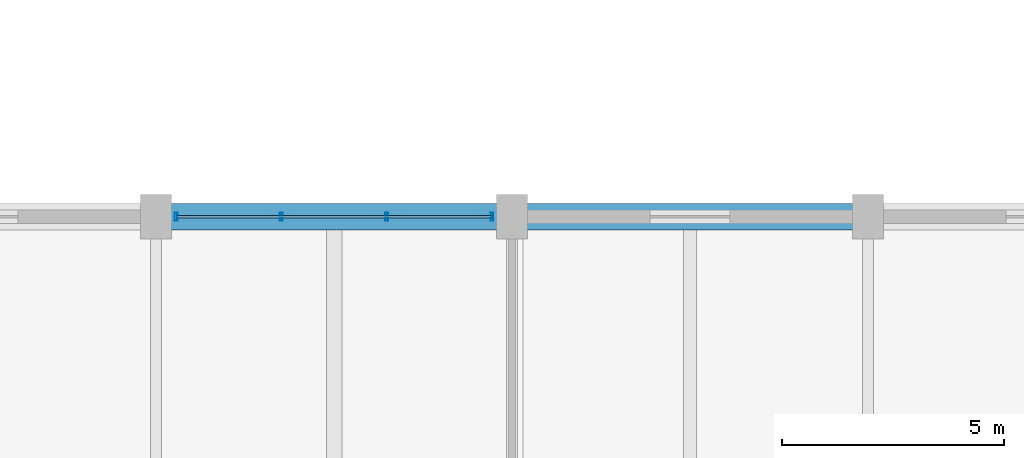
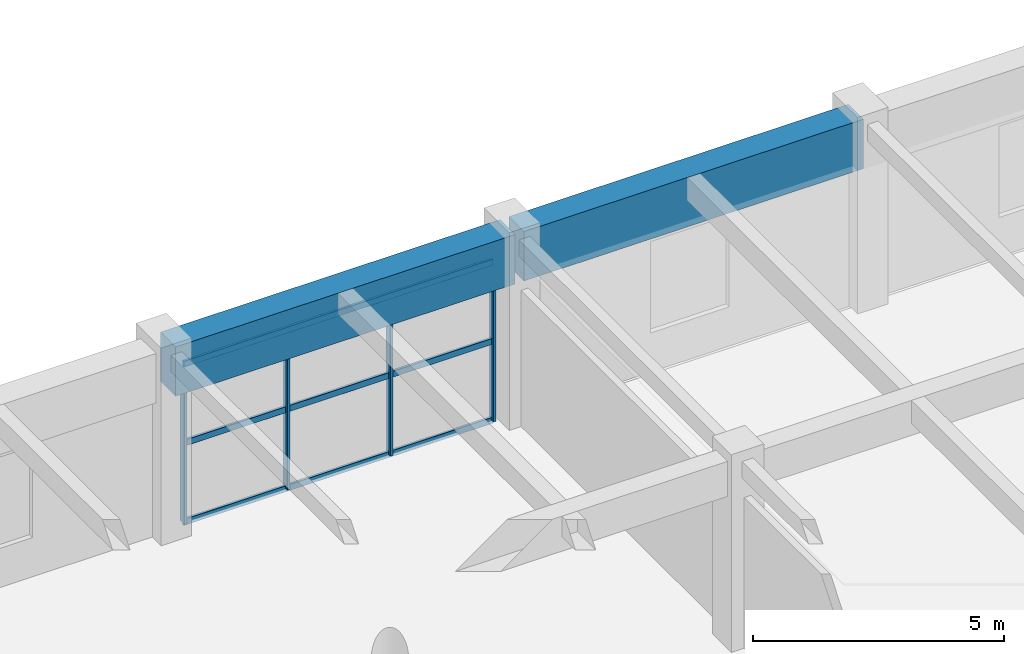
# One storey, part 83 of 144: 7 members, 2 beams, 1 element without a shape of its own.
"""IFC4 building model written with IfcOpenShell, lengths in metres."""

import ifcopenshell
import ifcopenshell.guid

model = None  # the IFC model being written
_history = None  # IfcOwnerHistory: only IFC2X3 demands one
_inside = {}  # id of a spatial element -> (the spatial element, [elements in it])
_under = {}  # id of a project, library or spatial element -> (it, [spatial elements below it])
_declared = {}  # id of a project -> (the project, [libraries it declares])
_typed = {}  # id of a type object -> (the type object, [elements of that type])
_made_of = {}  # id of a material, layer set ... -> (it, [elements and type objects made of it])


def new_model(schema):
    """Start an empty IFC model of exactly this schema.

    Asked for "IFC4X3", IfcOpenShell would pick the latest addendum, in which some entities
    have other attributes; the version numbers below select the first issue.
    IFC2X3 requires an IfcOwnerHistory on every rooted entity: one is made here for all.
    """
    global model, _history
    if schema == "IFC4X3":
        model = ifcopenshell.file(schema_version=(4, 3, 0, 0))
    else:
        model = ifcopenshell.file(schema=schema)
    _inside.clear()
    _under.clear()
    _declared.clear()
    _typed.clear()
    _made_of.clear()
    _history = None
    if model.schema == "IFC2X3":
        org = make("IfcOrganization", Name="unknown")
        user = make(
            "IfcPersonAndOrganization",
            ThePerson=make("IfcPerson", FamilyName="unknown"),
            TheOrganization=org,
        )
        app = make(
            "IfcApplication",
            ApplicationDeveloper=org,
            Version="unknown",
            ApplicationFullName="unknown",
            ApplicationIdentifier="unknown",
        )
        _history = make(
            "IfcOwnerHistory",
            OwningUser=user,
            OwningApplication=app,
            ChangeAction="ADDED",
            CreationDate=0,
        )
    return model


def make(cls, **values):
    """One entity of the class cls with the attributes given. An attribute that is None is left unset."""
    return model.create_entity(
        cls, **{name: value for name, value in values.items() if value is not None}
    )


def rooted(cls, **values):
    """An entity with a GlobalId (a new one), such as an element, a storey or a relation."""
    return make(cls, GlobalId=ifcopenshell.guid.new(), OwnerHistory=_history, **values)


def si_unit(unit_type, name, prefix=None):
    """IfcSIUnit, for example si_unit("LENGTHUNIT", "METRE", prefix="MILLI")."""
    return make("IfcSIUnit", UnitType=unit_type, Prefix=prefix, Name=name)


def assignment(units):
    """IfcUnitAssignment: the units of a project."""
    return None if units is None else make("IfcUnitAssignment", Units=units)


def point(xyz):
    """IfcCartesianPoint."""
    return None if xyz is None else make("IfcCartesianPoint", Coordinates=xyz)


def direction(xyz):
    """IfcDirection."""
    return None if xyz is None else make("IfcDirection", DirectionRatios=xyz)


def frame(location, z_axis=None, x_axis=None):
    """IfcAxis2Placement3D, a coordinate frame: its origin and axes. An axis left out is left unset."""
    return make(
        "IfcAxis2Placement3D",
        Location=point(location),
        Axis=direction(z_axis),
        RefDirection=direction(x_axis),
    )


def frame_2d(location, x_axis=None):
    """IfcAxis2Placement2D, a coordinate frame in the plane: its origin and x axis."""
    return make(
        "IfcAxis2Placement2D", Location=point(location), RefDirection=direction(x_axis)
    )


def origin():
    """The frame at (0, 0, 0) with its axes left unset."""
    return frame((0.0, 0.0, 0.0))


def origin_2d():
    """The frame at (0, 0) in the plane with its x axis left unset."""
    return frame_2d((0.0, 0.0))


def place(relative_to, where):
    """IfcLocalPlacement: puts the frame where relative to a parent placement (None: the world)."""
    return make(
        "IfcLocalPlacement", PlacementRelTo=relative_to, RelativePlacement=where
    )


def context(
    kind, dimensions, precision=None, world=None, true_north=None, identifier=None
):
    """IfcGeometricRepresentationContext, for example the 3D "Model" context."""
    return make(
        "IfcGeometricRepresentationContext",
        ContextIdentifier=identifier,
        ContextType=kind,
        CoordinateSpaceDimension=dimensions,
        Precision=precision,
        WorldCoordinateSystem=world,
        TrueNorth=true_north,
    )


def subcontext(parent, identifier, kind, view, scale=None):
    """IfcGeometricRepresentationSubContext, for example "Body" below "Model"."""
    return make(
        "IfcGeometricRepresentationSubContext",
        ContextIdentifier=identifier,
        ContextType=kind,
        ParentContext=parent,
        TargetScale=scale,
        TargetView=view,
    )


def project(units=None, contexts=None):
    """IfcProject with its units and contexts."""
    return rooted(
        "IfcProject",
        Name="project",
        RepresentationContexts=contexts,
        UnitsInContext=assignment(units),
    )


def spatial(cls, under=None, at=None, **own):
    """A site, building, storey or space (cls), placed at a placement, below another one or the project."""
    s = rooted(cls, ObjectPlacement=at, **own)
    if under is not None:
        _under.setdefault(under.id(), (under, []))[1].append(s)
    return s


def profile(cls, at=None, kind="AREA", **sizes):
    """A parametric profile (cls). Its sizes go by their IFC names, for example OverallWidth=200.0."""
    return make(cls, ProfileType=kind, Position=at, **sizes)


def rectangle(**sizes):
    """IfcRectangleProfileDef."""
    return profile("IfcRectangleProfileDef", **sizes)


def hollow_rectangle(**sizes):
    """IfcRectangleHollowProfileDef."""
    return profile("IfcRectangleHollowProfileDef", **sizes)


def extrude(swept, where, along, depth):
    """IfcExtrudedAreaSolid: the profile swept, set in the frame where, extruded along a direction by depth."""
    return make(
        "IfcExtrudedAreaSolid",
        SweptArea=swept,
        Position=where,
        ExtrudedDirection=direction(along),
        Depth=depth,
    )


def shape(context_of_items, identifier, shape_type, items):
    """IfcShapeRepresentation: the items that make up one representation, for example the "Body"."""
    return make(
        "IfcShapeRepresentation",
        ContextOfItems=context_of_items,
        RepresentationIdentifier=identifier,
        RepresentationType=shape_type,
        Items=items,
    )


def material(Name=None, Category=None):
    """IfcMaterial."""
    return make("IfcMaterial", Name=Name, Category=Category)


def material_profile(
    of_material, cross_section, Name=None, Category=None, Priority=None
):
    """IfcMaterialProfile: a cross section and its material."""
    return make(
        "IfcMaterialProfile",
        Name=Name,
        Material=of_material,
        Profile=cross_section,
        Priority=Priority,
        Category=Category,
    )


def profile_set(profiles, Name=None, composite=None):
    """IfcMaterialProfileSet."""
    return make(
        "IfcMaterialProfileSet",
        Name=Name,
        MaterialProfiles=profiles,
        CompositeProfile=composite,
    )


def made_of(thing, what):
    """Note that an element or type object is made of a material, layer set ...; save() writes the relation."""
    if what is not None:
        _made_of.setdefault(what.id(), (what, []))[1].append(thing)
    return thing


def type_object(cls, material=None, **own):
    """A type object (cls), such as IfcWallType, which elements share."""
    return made_of(rooted(cls, **own), material)


def element(
    cls,
    number,
    at=None,
    inside=None,
    cuts=None,
    type_object=None,
    material=None,
    context=None,
    identifier="Body",
    shape_type=None,
    held_by="IfcProductDefinitionShape",
    body=None,
    shapes=None,
    **own,
):
    """One element of the class cls, such as IfcWall. Its Tag is "e" and its number.

    at: its placement. inside: the storey or other place that contains it. cuts: it is an
    opening in that element (IfcRelVoidsElement). A single representation is given by context,
    identifier, shape_type and body (its items); several are given by shapes. held_by: the class
    of the entity that holds the representations. save() writes the other relations.
    """
    e = rooted(cls, Tag="e%d" % number, ObjectPlacement=at, **own)
    if body is not None:
        shapes = [shape(context, identifier, shape_type, body)]
    if shapes is not None:
        e.Representation = make(held_by, Representations=shapes)
    if inside is not None:
        _inside.setdefault(inside.id(), (inside, []))[1].append(e)
    if cuts is not None:
        rooted(
            "IfcRelVoidsElement", RelatingBuildingElement=cuts, RelatedOpeningElement=e
        )
    if type_object is not None:
        _typed.setdefault(type_object.id(), (type_object, []))[1].append(e)
    return made_of(e, material)


def aggregate(whole, parts):
    """IfcRelAggregates: a whole, such as a stair, and the parts it consists of."""
    return rooted("IfcRelAggregates", RelatingObject=whole, RelatedObjects=parts)


def save(model, path):
    """Write the relations noted so far, then the file.

    IfcRelAggregates (storeys below a building ...), IfcRelContainedInSpatialStructure (elements
    in a storey), IfcRelDefinesByType, IfcRelAssociatesMaterial and IfcRelDeclares: one each for
    every whole, place, type object, material and project.
    """
    for whole, parts in _under.values():
        aggregate(whole, parts)
    for where, things in _inside.values():
        rooted(
            "IfcRelContainedInSpatialStructure",
            RelatedElements=things,
            RelatingStructure=where,
        )
    for kind, things in _typed.values():
        rooted("IfcRelDefinesByType", RelatedObjects=things, RelatingType=kind)
    for what, things in _made_of.values():
        rooted("IfcRelAssociatesMaterial", RelatedObjects=things, RelatingMaterial=what)
    for by, libraries in _declared.values():
        rooted("IfcRelDeclares", RelatingContext=by, RelatedDefinitions=libraries)
    model.write(path)


model = new_model("IFC4")

# Units and contexts
model_context = context("Model", 3, precision=1e-05, world=origin(), true_north=direction((0.0, 1.0)))
body_context = subcontext(model_context, "Body", "Model", "MODEL_VIEW")
ifc_project = project(units=[si_unit("LENGTHUNIT", "METRE"), si_unit("AREAUNIT", "SQUARE_METRE"), si_unit("VOLUMEUNIT", "CUBIC_METRE"), si_unit("PLANEANGLEUNIT", "RADIAN"), si_unit("MASSUNIT", "GRAM", prefix="KILO")], contexts=[model_context])

# Site, building, storey
site_placement = place(None, origin())
site = spatial("IfcSite", under=ifc_project, at=site_placement, CompositionType="ELEMENT")
building_placement = place(site_placement, origin())
building = spatial("IfcBuilding", under=site, at=building_placement, Name="Varnabhumi Central Station", CompositionType="ELEMENT")
storey_placement = place(building_placement, frame((0.0, 0.0, 4.800048828125)))
storey = spatial("IfcBuildingStorey", under=building, at=storey_placement, Name="L01", CompositionType="ELEMENT", Elevation=4.800048828125)

# Beams
ifc_material_1 = material(Name="Concrete M50", Category="concrete")
ifc_material_profile_1 = material_profile(ifc_material_1, rectangle(XDim=0.60009765625, YDim=1.199951171875, at=origin_2d()), Name="Concrete M50", Category="concrete")
ifc_profile_set_1 = profile_set([ifc_material_profile_1], Name="Concrete M50")
beam_type = type_object("IfcBeamType", Name="BM-RC-1200x600", PredefinedType="BEAM", material=ifc_profile_set_1)
for number, where, z_axis, x_axis, name in (
    (1, (144.10009765625, 36.0, 3.949951171875), (1.0, 0.0, 0.0), (0.0, 1.0, 0.0), "Beam L01-E:19-20"),
    (2, (152.10009765625, 36.0, 3.949951171875), (1.0, 0.0, 0.0), (0.0, 1.0, 0.0), "Beam L01-E:20-21"),
):
    element("IfcBeam", number, at=place(storey_placement, frame(where, z_axis=z_axis, x_axis=x_axis)), inside=storey, type_object=beam_type, Name=name, PredefinedType="BEAM", context=body_context, shape_type="SweptSolid", body=[
        extrude(rectangle(XDim=0.60009765625, YDim=1.199951171875, at=origin_2d()), origin(), (0.0, 0.0, 1.0), 7.7998046875),
    ])

# Curtain wall, members
ifc_material_2 = material(Name="Anodised aluminium 6063-T6", Category="aluminium")
curtain_wall_type = type_object("IfcCurtainWallType", Name="CW-SPINE-SCREEN-L0", PredefinedType="NOTDEFINED", material=ifc_material_2)
curtain_wall_placement = place(storey_placement, origin())
curtain_wall = element("IfcCurtainWall", 3, at=curtain_wall_placement, inside=storey, type_object=curtain_wall_type, Name="Curtain Wall CW-SS118", PredefinedType="NOTDEFINED")
ifc_material_profile_2 = material_profile(ifc_material_2, hollow_rectangle(XDim=0.06494140625, YDim=0.179931640625, WallThickness=0.00390625, InnerFilletRadius=0.001953125, OuterFilletRadius=0.006103515625, at=origin_2d()), Name="Anodised aluminium 6063-T6", Category="aluminium")
ifc_profile_set_2 = profile_set([ifc_material_profile_2], Name="Anodised aluminium 6063-T6")
member_type_1 = type_object("IfcMemberType", Name="CW-MUL-180", PredefinedType="MULLION", material=ifc_profile_set_2)
member_1_placement = place(storey_placement, frame((144.449951171875, 36.0, 0.0), z_axis=(0.0, 0.0, 1.0), x_axis=(1.0, 0.0, 0.0)))
member_1 = element("IfcMember", 4, at=member_1_placement, type_object=member_type_1, Name="Curtain Wall Mullion CW-SS118-M1", PredefinedType="MULLION", context=body_context, shape_type="SweptSolid", body=[
    extrude(hollow_rectangle(XDim=0.06494140625, YDim=0.179931640625, WallThickness=0.00390625, InnerFilletRadius=0.001953125, OuterFilletRadius=0.006103515625, at=origin_2d()), origin(), (0.0, 0.0, 1.0), 3.83984375),
])
member_2_placement = place(storey_placement, frame((146.816650390625, 36.0, 0.0), z_axis=(0.0, 0.0, 1.0), x_axis=(1.0, 0.0, 0.0)))
member_2 = element("IfcMember", 5, at=member_2_placement, type_object=member_type_1, Name="Curtain Wall Mullion CW-SS118-M2", PredefinedType="MULLION", context=body_context, shape_type="SweptSolid", body=[
    extrude(hollow_rectangle(XDim=0.06494140625, YDim=0.179931640625, WallThickness=0.00390625, InnerFilletRadius=0.001953125, OuterFilletRadius=0.006103515625, at=origin_2d()), origin(), (0.0, 0.0, 1.0), 3.83984375),
])
member_3_placement = place(storey_placement, frame((149.183349609375, 36.0, 0.0), z_axis=(0.0, 0.0, 1.0), x_axis=(1.0, 0.0, 0.0)))
member_3 = element("IfcMember", 6, at=member_3_placement, type_object=member_type_1, Name="Curtain Wall Mullion CW-SS118-M3", PredefinedType="MULLION", context=body_context, shape_type="SweptSolid", body=[
    extrude(hollow_rectangle(XDim=0.06494140625, YDim=0.179931640625, WallThickness=0.00390625, InnerFilletRadius=0.001953125, OuterFilletRadius=0.006103515625, at=origin_2d()), origin(), (0.0, 0.0, 1.0), 3.83984375),
])
member_4_placement = place(storey_placement, frame((151.550048828125, 36.0, 0.0), z_axis=(0.0, 0.0, 1.0), x_axis=(1.0, 0.0, 0.0)))
member_4 = element("IfcMember", 7, at=member_4_placement, type_object=member_type_1, Name="Curtain Wall Mullion CW-SS118-M4", PredefinedType="MULLION", context=body_context, shape_type="SweptSolid", body=[
    extrude(hollow_rectangle(XDim=0.06494140625, YDim=0.179931640625, WallThickness=0.00390625, InnerFilletRadius=0.001953125, OuterFilletRadius=0.006103515625, at=origin_2d()), origin(), (0.0, 0.0, 1.0), 3.83984375),
])
ifc_material_profile_3 = material_profile(ifc_material_2, hollow_rectangle(XDim=0.06005859375, YDim=0.14990234375, WallThickness=0.00390625, InnerFilletRadius=0.001953125, OuterFilletRadius=0.006103515625, at=origin_2d()), Name="Anodised aluminium 6063-T6", Category="aluminium")
ifc_profile_set_3 = profile_set([ifc_material_profile_3], Name="Anodised aluminium 6063-T6")
member_type_2 = type_object("IfcMemberType", Name="CW-TR-150", PredefinedType="USERDEFINED", material=ifc_profile_set_3)
member_5_placement = place(storey_placement, frame((144.449951171875, 36.0, 0.0), z_axis=(1.0, 0.0, 0.0), x_axis=(0.0, 1.0, 0.0)))
member_5 = element("IfcMember", 8, at=member_5_placement, type_object=member_type_2, Name="Curtain Wall Transom CW-SS118-T1", ObjectType="TRANSOM", PredefinedType="USERDEFINED", context=body_context, shape_type="SweptSolid", body=[
    extrude(hollow_rectangle(XDim=0.06005859375, YDim=0.14990234375, WallThickness=0.00390625, InnerFilletRadius=0.001953125, OuterFilletRadius=0.006103515625, at=origin_2d()), origin(), (0.0, 0.0, 1.0), 7.10009765625),
])
member_6_placement = place(storey_placement, frame((144.449951171875, 36.0, 1.919921875), z_axis=(1.0, 0.0, 0.0), x_axis=(0.0, 1.0, 0.0)))
member_6 = element("IfcMember", 9, at=member_6_placement, type_object=member_type_2, Name="Curtain Wall Transom CW-SS118-T2", ObjectType="TRANSOM", PredefinedType="USERDEFINED", context=body_context, shape_type="SweptSolid", body=[
    extrude(hollow_rectangle(XDim=0.06005859375, YDim=0.14990234375, WallThickness=0.00390625, InnerFilletRadius=0.001953125, OuterFilletRadius=0.006103515625, at=origin_2d()), origin(), (0.0, 0.0, 1.0), 7.10009765625),
])
member_7_placement = place(storey_placement, frame((144.449951171875, 36.0, 3.83984375), z_axis=(1.0, 0.0, 0.0), x_axis=(0.0, 1.0, 0.0)))
member_7 = element("IfcMember", 10, at=member_7_placement, type_object=member_type_2, Name="Curtain Wall Transom CW-SS118-T3", ObjectType="TRANSOM", PredefinedType="USERDEFINED", context=body_context, shape_type="SweptSolid", body=[
    extrude(hollow_rectangle(XDim=0.06005859375, YDim=0.14990234375, WallThickness=0.00390625, InnerFilletRadius=0.001953125, OuterFilletRadius=0.006103515625, at=origin_2d()), origin(), (0.0, 0.0, 1.0), 7.10009765625),
])
aggregate(curtain_wall, [member_1, member_2, member_3, member_4, member_5, member_6, member_7])

save(model, "model.ifc")
